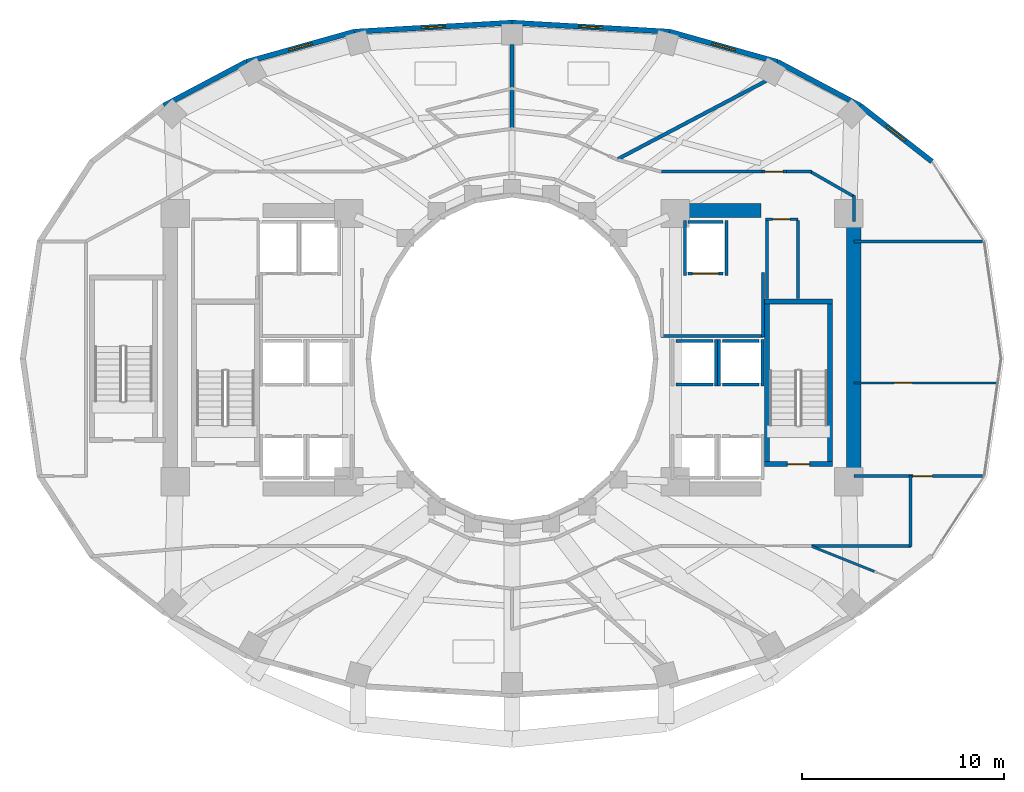
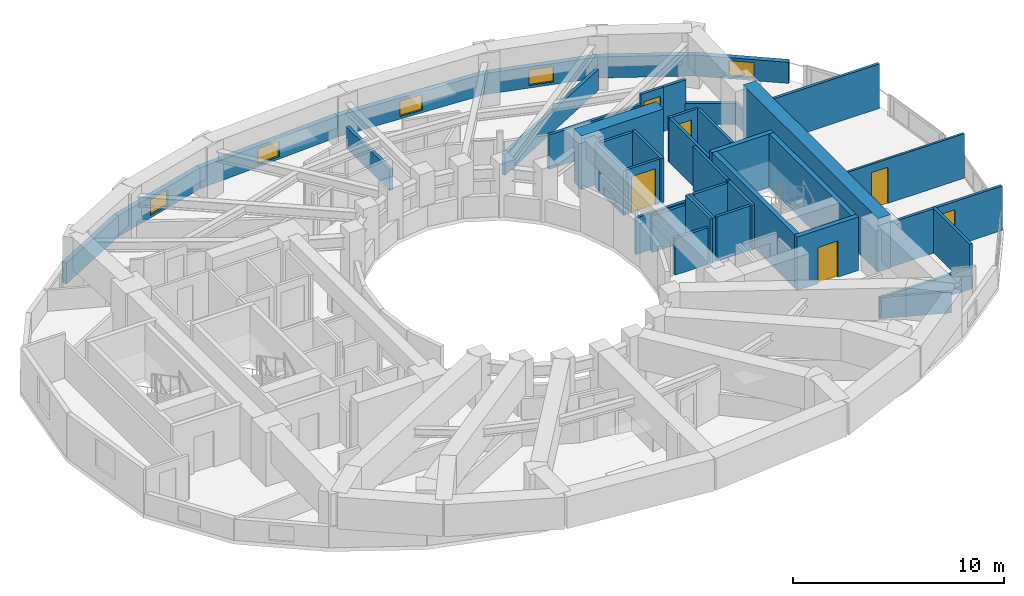
# One storey, part 10 of 14: 42 walls, 6 doors, 5 windows, 11 openings.
"""IFC4 building model written with IfcOpenShell, lengths in metres."""

from ifc_helpers import new_model, si_unit, direction, frame, frame_2d, origin, place, context, subcontext, project, spatial, rectangle, extrude, material, layer, layer_set, type_object, element, fill, save


model = new_model("IFC4")

# Units and contexts
model_context = context("Model", 3, precision=1e-05, world=origin(), true_north=direction((0.0, 1.0)))
body_context = subcontext(model_context, "Body", "Model", "MODEL_VIEW")
ifc_project = project(units=[si_unit("LENGTHUNIT", "METRE"), si_unit("AREAUNIT", "SQUARE_METRE"), si_unit("VOLUMEUNIT", "CUBIC_METRE"), si_unit("PLANEANGLEUNIT", "RADIAN"), si_unit("MASSUNIT", "GRAM", prefix="KILO")], contexts=[model_context])

# Site, building, storey
site_placement = place(None, origin())
site = spatial("IfcSite", under=ifc_project, at=site_placement, CompositionType="ELEMENT")
building_placement = place(site_placement, origin())
building = spatial("IfcBuilding", under=site, at=building_placement, Name="Solvane Sanctuary Tower", CompositionType="ELEMENT")
storey_placement = place(building_placement, frame((0.0, 0.0, 91.800048828125)))
storey = spatial("IfcBuildingStorey", under=building, at=storey_placement, Name="L27", CompositionType="ELEMENT", Elevation=91.800048828125)

# Walls
ifc_material_1 = material(Name="Concrete C60/75", Category="concrete")
ifc_layer_1 = layer(ifc_material_1, 0.699951171875, Name="Concrete C60/75")
ifc_layer_set_1 = layer_set([ifc_layer_1], Name="Concrete C60/75")
wall_type_1 = type_object("IfcWallType", Name="Wall W-CORE-700", PredefinedType="SHEAR", material=ifc_layer_set_1)
wall_1_placement = place(storey_placement, frame((48.949951171875, 17.050048828125, 0.0), z_axis=(0.0, 0.0, 1.0), x_axis=(0.0, 1.0, 0.0)))
element("IfcWall", 1, at=wall_1_placement, inside=storey, type_object=wall_type_1, Name="L27 Core Shear Wall EC-E", PredefinedType="SHEAR", context=body_context, shape_type="SweptSolid", body=[
    extrude(rectangle(XDim=12.800048828125, YDim=0.699951171875, at=frame_2d((6.39990234375, 0.0))), origin(), (0.0, 0.0, 1.0), 3.099853515625),
])
wall_2_placement = place(storey_placement, frame((39.85009765625, 30.35009765625, 0.0), z_axis=(0.0, 0.0, 1.0), x_axis=(1.0, 0.0, 0.0)))
element("IfcWall", 2, at=wall_2_placement, inside=storey, type_object=wall_type_1, Name="L27 Core Shear Wall EC-N", PredefinedType="SHEAR", context=body_context, shape_type="SweptSolid", body=[
    extrude(rectangle(XDim=4.5, YDim=0.699951171875, at=frame_2d((2.25, 0.0))), origin(), (0.0, 0.0, 1.0), 3.099853515625),
])
ifc_material_2 = material(Name="Acoustic Gypsum Partition Board")
ifc_layer_2 = layer(ifc_material_2, 0.14990234375, Name="Acoustic Gypsum Partition Board")
ifc_layer_set_2 = layer_set([ifc_layer_2], Name="Acoustic Gypsum Partition Board")
wall_type_2 = type_object("IfcWallType", Name="Wall W-CORR-150", PredefinedType="PARTITIONING", material=ifc_layer_set_2)
wall_3_placement = place(storey_placement, frame((39.39990234375, 24.1201171875, 0.0), z_axis=(0.0, 0.0, 1.0), x_axis=(1.0, 0.0, 0.0)))
element("IfcWall", 3, at=wall_3_placement, inside=storey, type_object=wall_type_2, Name="L27 East Firefighting Lobby South Wall", PredefinedType="PARTITIONING", context=body_context, shape_type="SweptSolid", body=[
    extrude(rectangle(XDim=5.080078125, YDim=0.14990234375, at=frame_2d((2.5400390625, 0.0))), origin(), (0.0, 0.0, 1.0), 2.119873046875),
])
wall_4_placement = place(storey_placement, frame((44.449951171875, 24.080078125, 0.0), z_axis=(0.0, 0.0, 1.0), x_axis=(0.0, 1.0, 0.0)))
element("IfcWall", 4, at=wall_4_placement, inside=storey, type_object=wall_type_2, Name="L27 East Firefighting Lobby East Wall", PredefinedType="PARTITIONING", context=body_context, shape_type="SweptSolid", body=[
    extrude(rectangle(XDim=3.199951171875, YDim=0.14990234375, at=frame_2d((1.60009765625, 0.0))), origin(), (0.0, 0.0, 1.0), 2.574951171875),
])

# Wall, opening, door
wall_5_placement = place(storey_placement, frame((48.949951171875, 17.1748046875, 0.0), z_axis=(0.0, 0.0, 1.0), x_axis=(1.0, 0.0, 0.0)))
wall_5 = element("IfcWall", 5, at=wall_5_placement, inside=storey, type_object=wall_type_2, Name="L27 East Shoulder South Wall", PredefinedType="PARTITIONING", context=body_context, shape_type="SweptSolid", body=[
    extrude(rectangle(XDim=6.49169921875, YDim=0.14990234375, at=frame_2d((3.245849609375, 0.0))), origin(), (0.0, 0.0, 1.0), 2.574951171875),
])
opening_1_placement = place(wall_5_placement, frame((2.947509765625, 0.0, 0.0)))
opening_1 = element("IfcOpeningElement", 6, at=opening_1_placement, cuts=wall_5, Name="Opening D-L27-08", PredefinedType="OPENING", context=body_context, shape_type="SweptSolid", body=[
    extrude(rectangle(XDim=0.949951171875, YDim=2.10009765625, at=frame_2d((0.47509765625, 1.050048828125))), frame((0.0, 0.0849609375, 0.0), z_axis=(0.0, -1.0, 0.0), x_axis=(1.0, 0.0, 0.0)), (0.0, 0.0, 1.0), 0.169921875),
])
ifc_material_3 = material(Name="Engineered Tropical Hardwood", Category="wood")
door_type_1 = type_object("IfcDoorType", Name="Door D-ROOM-950", OperationType="NOTDEFINED", PredefinedType="DOOR", material=ifc_material_3)
door_1_placement = place(opening_1_placement, origin())
door_1 = element("IfcDoor", 7, at=door_1_placement, inside=storey, type_object=door_type_1, Name="L27 East Shoulder South Door", OperationType="SINGLE_SWING_LEFT", OverallHeight=2.10009765625, OverallWidth=0.949951171875, PredefinedType="DOOR", context=body_context, shape_type="SweptSolid", body=[
    extrude(rectangle(XDim=0.949951171875, YDim=2.10009765625, at=frame_2d((0.47509765625, 1.050048828125))), frame((0.0, 0.02490234375, 0.0), z_axis=(0.0, -1.0, 0.0), x_axis=(1.0, 0.0, 0.0)), (0.0, 0.0, 1.0), 0.050048828125),
])
fill(opening_1, door_1)

# Walls
wall_6_placement = place(storey_placement, frame((48.949951171875, 28.8251953125, 0.0), z_axis=(0.0, 0.0, 1.0), x_axis=(1.0, 0.0, 0.0)))
element("IfcWall", 8, at=wall_6_placement, inside=storey, type_object=wall_type_2, Name="L27 East Shoulder North Wall", PredefinedType="PARTITIONING", context=body_context, shape_type="SweptSolid", body=[
    extrude(rectangle(XDim=6.49169921875, YDim=0.14990234375, at=frame_2d((3.245849609375, 0.0))), origin(), (0.0, 0.0, 1.0), 2.574951171875),
])
wall_7_placement = place(storey_placement, frame((48.949951171875, 29.800048828125, 0.0), z_axis=(0.0, 0.0, 1.0), x_axis=(0.0, 1.0, 0.0)))
element("IfcWall", 9, at=wall_7_placement, inside=storey, type_object=wall_type_2, Name="L27 NE Corner Closer 1", PredefinedType="PARTITIONING", context=body_context, shape_type="SweptSolid", body=[
    extrude(rectangle(XDim=1.2900390625, YDim=0.14990234375, at=frame_2d((0.64501953125, 0.0))), origin(), (0.0, 0.0, 1.0), 1.219970703125),
])
wall_8_placement = place(storey_placement, frame((39.330078125, 32.280029296875, 0.0), z_axis=(0.0, 0.0, 1.0), x_axis=(1.0, 0.0, 0.0)))
element("IfcWall", 10, at=wall_8_placement, inside=storey, type_object=wall_type_2, Name="L27 NE Corner Corridor Wall", PredefinedType="PARTITIONING", context=body_context, shape_type="SweptSolid", body=[
    extrude(rectangle(XDim=5.059814453125, YDim=0.14990234375, at=frame_2d((2.52978515625, 0.0))), origin(), (0.0, 0.0, 1.0), 1.991943359375),
])

# Wall, opening, door
wall_9_placement = place(storey_placement, frame((44.389892578125, 32.280029296875, 0.0), z_axis=(0.0, 0.0, 1.0), x_axis=(1.0, 0.0, 0.0)))
wall_9 = element("IfcWall", 11, at=wall_9_placement, inside=storey, type_object=wall_type_2, Name="L27 NE Corner Corridor Wall", PredefinedType="PARTITIONING", context=body_context, shape_type="SweptSolid", body=[
    extrude(rectangle(XDim=1.22021484375, YDim=0.14990234375, at=frame_2d((0.610107421875, 0.0))), origin(), (0.0, 0.0, 1.0), 2.574951171875),
])
opening_2_placement = place(wall_9_placement, frame((0.159912109375, 0.0, 0.0)))
opening_2 = element("IfcOpeningElement", 12, at=opening_2_placement, cuts=wall_9, Name="Opening D-L27-11", PredefinedType="OPENING", context=body_context, shape_type="SweptSolid", body=[
    extrude(rectangle(XDim=0.89990234375, YDim=2.10009765625, at=frame_2d((0.449951171875, 1.050048828125))), frame((0.0, 0.0849609375, 0.0), z_axis=(0.0, -1.0, 0.0), x_axis=(1.0, 0.0, 0.0)), (0.0, 0.0, 1.0), 0.169921875),
])
door_type_2 = type_object("IfcDoorType", Name="Door D-WET-900", OperationType="NOTDEFINED", PredefinedType="DOOR", material=ifc_material_3)
door_2_placement = place(opening_2_placement, origin())
door_2 = element("IfcDoor", 13, at=door_2_placement, inside=storey, type_object=door_type_2, Name="L27 NE Corner Salon Door", OperationType="SINGLE_SWING_RIGHT", OverallHeight=2.10009765625, OverallWidth=0.89990234375, PredefinedType="DOOR", context=body_context, shape_type="SweptSolid", body=[
    extrude(rectangle(XDim=0.89990234375, YDim=2.10009765625, at=frame_2d((0.449951171875, 1.050048828125))), frame((0.0, 0.02490234375, 0.0), z_axis=(0.0, -1.0, 0.0), x_axis=(1.0, 0.0, 0.0)), (0.0, 0.0, 1.0), 0.050048828125),
])
fill(opening_2, door_2)

# Walls
wall_10_placement = place(storey_placement, frame((45.610107421875, 32.280029296875, 0.0), z_axis=(0.0, 0.0, 1.0), x_axis=(1.0, 0.0, 0.0)))
element("IfcWall", 14, at=wall_10_placement, inside=storey, type_object=wall_type_2, Name="L27 NE Corner Corridor Wall", PredefinedType="PARTITIONING", context=body_context, shape_type="SweptSolid", body=[
    extrude(rectangle(XDim=1.239990234375, YDim=0.14990234375, at=frame_2d((0.6201171875, 0.0))), origin(), (0.0, 0.0, 1.0), 2.574951171875),
])
wall_11_placement = place(storey_placement, frame((46.756591796875, 32.3046875, 0.0), z_axis=(0.0, 0.0, 1.0), x_axis=(0.867991349648, -0.496579315857, 0.0)))
element("IfcWall", 15, at=wall_11_placement, inside=storey, type_object=wall_type_2, Name="L27 NE Corner Wing Wall", PredefinedType="PARTITIONING", context=body_context, shape_type="SweptSolid", body=[
    extrude(rectangle(XDim=2.56689453125, YDim=0.14990234375, at=frame_2d((1.283447265625, 0.0))), origin(), (0.0, 0.0, 1.0), 1.219970703125),
])
wall_12_placement = place(storey_placement, frame((51.760009765625, 13.679931640625, 0.0), z_axis=(0.0, 0.0, 1.0), x_axis=(0.0, 1.0, 0.0)))
element("IfcWall", 16, at=wall_12_placement, inside=storey, type_object=wall_type_2, Name="L27 SE Corner Closer 1", PredefinedType="PARTITIONING", context=body_context, shape_type="SweptSolid", body=[
    extrude(rectangle(XDim=3.534912109375, YDim=0.14990234375, at=frame_2d((1.767578125, 0.0))), origin(), (0.0, 0.0, 1.0), 2.574951171875),
])
wall_13_placement = place(storey_placement, frame((46.75, 13.719970703125, 0.0), z_axis=(0.0, 0.0, 1.0), x_axis=(1.0, 0.0, 0.0)))
element("IfcWall", 17, at=wall_13_placement, inside=storey, type_object=wall_type_2, Name="L27 SE Corner Wing Wall", PredefinedType="PARTITIONING", context=body_context, shape_type="SweptSolid", body=[
    extrude(rectangle(XDim=5.050048828125, YDim=0.14990234375, at=frame_2d((2.52490234375, 0.0))), origin(), (0.0, 0.0, 1.0), 1.219970703125),
])

# Wall, opening, window
ifc_material_4 = material(Name="Precast concrete C40/50", Category="concrete")
ifc_layer_3 = layer(ifc_material_4, 0.260009765625, Name="Precast concrete C40/50")
ifc_layer_set_3 = layer_set([ifc_layer_3], Name="Precast concrete C40/50")
wall_type_3 = type_object("IfcWallType", Name="Wall W-EXT-250", PredefinedType="STANDARD", material=ifc_layer_set_3)
wall_14_placement = place(storey_placement, frame((52.820556640625, 32.786376953125, 0.0), z_axis=(0.0, 0.0, 1.0), x_axis=(-0.789127449954, 0.614229491094, 0.0)))
wall_14 = element("IfcWall", 18, at=wall_14_placement, inside=storey, type_object=wall_type_3, Name="L27 Ceramic-Printed Facade Wall 02", PredefinedType="STANDARD", context=body_context, shape_type="SweptSolid", body=[
    extrude(rectangle(XDim=4.504638671875, YDim=0.260009765625, at=frame_2d((2.25244140625, 0.0))), origin(), (0.0, 0.0, 1.0), 1.219970703125),
])
opening_3_placement = place(wall_14_placement, frame((1.65234375, 0.0, 0.14990234375)))
opening_3 = element("IfcOpeningElement", 19, at=opening_3_placement, cuts=wall_14, Name="Opening WN-OPER-1200", PredefinedType="OPENING", context=body_context, shape_type="SweptSolid", body=[
    extrude(rectangle(XDim=1.199951171875, YDim=0.89990234375, at=frame_2d((0.60009765625, 0.449951171875))), frame((0.0, 0.139892578125, 0.0), z_axis=(0.0, -1.0, 0.0), x_axis=(1.0, 0.0, 0.0)), (0.0, 0.0, 1.0), 0.280029296875),
])
ifc_material_5 = material(Name="Dark Ceramic-Fritted Low-E Glass", Category="glass")
window_type = type_object("IfcWindowType", Name="Window WN-OPER-1200", PartitioningType="SINGLE_PANEL", PredefinedType="WINDOW", material=ifc_material_5)
window_1_placement = place(opening_3_placement, origin())
window_1 = element("IfcWindow", 20, at=window_1_placement, inside=storey, type_object=window_type, Name="L27 Operable Facade Window 02", OverallHeight=0.89990234375, OverallWidth=1.199951171875, PartitioningType="SINGLE_PANEL", PredefinedType="WINDOW", context=body_context, shape_type="SweptSolid", body=[
    extrude(rectangle(XDim=1.199951171875, YDim=0.89990234375, at=frame_2d((0.60009765625, 0.449951171875))), frame((0.0, 0.030029296875, 0.0), z_axis=(0.0, -1.0, 0.0), x_axis=(1.0, 0.0, 0.0)), (0.0, 0.0, 1.0), 0.06005859375),
])
fill(opening_3, window_1)

# Wall
wall_15_placement = place(storey_placement, frame((49.265869140625, 35.55322265625, 0.0), z_axis=(0.0, 0.0, 1.0), x_axis=(-0.883668636807, 0.4681129568, 0.0)))
element("IfcWall", 21, at=wall_15_placement, inside=storey, type_object=wall_type_3, Name="L27 Ceramic-Printed Facade Wall 03", PredefinedType="STANDARD", context=body_context, shape_type="SweptSolid", body=[
    extrude(rectangle(XDim=4.63134765625, YDim=0.260009765625, at=frame_2d((2.315673828125, 0.0))), origin(), (0.0, 0.0, 1.0), 1.219970703125),
])

# Wall, opening, window
wall_16_placement = place(storey_placement, frame((45.17333984375, 37.72119140625, 0.0), z_axis=(0.0, 0.0, 1.0), x_axis=(-0.962938491413, 0.269721081407, 0.0)))
wall_16 = element("IfcWall", 22, at=wall_16_placement, inside=storey, type_object=wall_type_3, Name="L27 Ceramic-Printed Facade Wall 04", PredefinedType="STANDARD", context=body_context, shape_type="SweptSolid", body=[
    extrude(rectangle(XDim=5.563232421875, YDim=0.260009765625, at=frame_2d((2.78173828125, 0.0))), origin(), (0.0, 0.0, 1.0), 1.219970703125),
])
opening_4_placement = place(wall_16_placement, frame((2.181640625, 0.0, 0.14990234375)))
opening_4 = element("IfcOpeningElement", 23, at=opening_4_placement, cuts=wall_16, Name="Opening WN-OPER-1200", PredefinedType="OPENING", context=body_context, shape_type="SweptSolid", body=[
    extrude(rectangle(XDim=1.199951171875, YDim=0.89990234375, at=frame_2d((0.60009765625, 0.449951171875))), frame((0.0, 0.139892578125, 0.0), z_axis=(0.0, -1.0, 0.0), x_axis=(1.0, 0.0, 0.0)), (0.0, 0.0, 1.0), 0.280029296875),
])
window_2_placement = place(opening_4_placement, origin())
window_2 = element("IfcWindow", 24, at=window_2_placement, inside=storey, type_object=window_type, Name="L27 Operable Facade Window 04", OverallHeight=0.89990234375, OverallWidth=1.199951171875, PartitioningType="SINGLE_PANEL", PredefinedType="WINDOW", context=body_context, shape_type="SweptSolid", body=[
    extrude(rectangle(XDim=1.199951171875, YDim=0.89990234375, at=frame_2d((0.60009765625, 0.449951171875))), frame((0.0, 0.030029296875, 0.0), z_axis=(0.0, -1.0, 0.0), x_axis=(1.0, 0.0, 0.0)), (0.0, 0.0, 1.0), 0.06005859375),
])
fill(opening_4, window_2)

wall_17_placement = place(storey_placement, frame((39.81640625, 39.2216796875, 0.0), z_axis=(0.0, 0.0, 1.0), x_axis=(-0.998352606703, 0.057376586592, 0.0)))
wall_17 = element("IfcWall", 25, at=wall_17_placement, inside=storey, type_object=wall_type_3, Name="L27 Ceramic-Printed Facade Wall 05", PredefinedType="STANDARD", context=body_context, shape_type="SweptSolid", body=[
    extrude(rectangle(XDim=7.829345703125, YDim=0.260009765625, at=frame_2d((3.91455078125, 0.0))), origin(), (0.0, 0.0, 1.0), 1.219970703125),
])
opening_5_placement = place(wall_17_placement, frame((3.314697265625, 0.0, 0.14990234375)))
opening_5 = element("IfcOpeningElement", 26, at=opening_5_placement, cuts=wall_17, Name="Opening WN-OPER-1200", PredefinedType="OPENING", context=body_context, shape_type="SweptSolid", body=[
    extrude(rectangle(XDim=1.199951171875, YDim=0.89990234375, at=frame_2d((0.60009765625, 0.449951171875))), frame((0.0, 0.139892578125, 0.0), z_axis=(0.0, -1.0, 0.0), x_axis=(1.0, 0.0, 0.0)), (0.0, 0.0, 1.0), 0.280029296875),
])
window_3_placement = place(opening_5_placement, origin())
window_3 = element("IfcWindow", 27, at=window_3_placement, inside=storey, type_object=window_type, Name="L27 Operable Facade Window 05", OverallHeight=0.89990234375, OverallWidth=1.199951171875, PartitioningType="SINGLE_PANEL", PredefinedType="WINDOW", context=body_context, shape_type="SweptSolid", body=[
    extrude(rectangle(XDim=1.199951171875, YDim=0.89990234375, at=frame_2d((0.60009765625, 0.449951171875))), frame((0.0, 0.030029296875, 0.0), z_axis=(0.0, -1.0, 0.0), x_axis=(1.0, 0.0, 0.0)), (0.0, 0.0, 1.0), 0.06005859375),
])
fill(opening_5, window_3)

wall_18_placement = place(storey_placement, frame((32.0, 39.6708984375, 0.0), z_axis=(0.0, 0.0, 1.0), x_axis=(-0.998352606703, -0.057376586592, 0.0)))
wall_18 = element("IfcWall", 28, at=wall_18_placement, inside=storey, type_object=wall_type_3, Name="L27 Ceramic-Printed Facade Wall 06", PredefinedType="STANDARD", context=body_context, shape_type="SweptSolid", body=[
    extrude(rectangle(XDim=7.829345703125, YDim=0.260009765625, at=frame_2d((3.91455078125, 0.0))), origin(), (0.0, 0.0, 1.0), 1.219970703125),
])
opening_6_placement = place(wall_18_placement, frame((3.314697265625, 0.0, 0.14990234375)))
opening_6 = element("IfcOpeningElement", 29, at=opening_6_placement, cuts=wall_18, Name="Opening WN-OPER-1200", PredefinedType="OPENING", context=body_context, shape_type="SweptSolid", body=[
    extrude(rectangle(XDim=1.199951171875, YDim=0.89990234375, at=frame_2d((0.60009765625, 0.449951171875))), frame((0.0, 0.139892578125, 0.0), z_axis=(0.0, -1.0, 0.0), x_axis=(1.0, 0.0, 0.0)), (0.0, 0.0, 1.0), 0.280029296875),
])
window_4_placement = place(opening_6_placement, origin())
window_4 = element("IfcWindow", 30, at=window_4_placement, inside=storey, type_object=window_type, Name="L27 Operable Facade Window 06", OverallHeight=0.89990234375, OverallWidth=1.199951171875, PartitioningType="SINGLE_PANEL", PredefinedType="WINDOW", context=body_context, shape_type="SweptSolid", body=[
    extrude(rectangle(XDim=1.199951171875, YDim=0.89990234375, at=frame_2d((0.60009765625, 0.449951171875))), frame((0.0, 0.030029296875, 0.0), z_axis=(0.0, -1.0, 0.0), x_axis=(1.0, 0.0, 0.0)), (0.0, 0.0, 1.0), 0.06005859375),
])
fill(opening_6, window_4)

wall_19_placement = place(storey_placement, frame((24.18359375, 39.2216796875, 0.0), z_axis=(0.0, 0.0, 1.0), x_axis=(-0.962938491413, -0.269721081407, 0.0)))
wall_19 = element("IfcWall", 31, at=wall_19_placement, inside=storey, type_object=wall_type_3, Name="L27 Ceramic-Printed Facade Wall 07", PredefinedType="STANDARD", context=body_context, shape_type="SweptSolid", body=[
    extrude(rectangle(XDim=5.563232421875, YDim=0.260009765625, at=frame_2d((2.78173828125, 0.0))), origin(), (0.0, 0.0, 1.0), 1.219970703125),
])
opening_7_placement = place(wall_19_placement, frame((2.181640625, 0.0, 0.14990234375)))
opening_7 = element("IfcOpeningElement", 32, at=opening_7_placement, cuts=wall_19, Name="Opening WN-OPER-1200", PredefinedType="OPENING", context=body_context, shape_type="SweptSolid", body=[
    extrude(rectangle(XDim=1.199951171875, YDim=0.89990234375, at=frame_2d((0.60009765625, 0.449951171875))), frame((0.0, 0.139892578125, 0.0), z_axis=(0.0, -1.0, 0.0), x_axis=(1.0, 0.0, 0.0)), (0.0, 0.0, 1.0), 0.280029296875),
])
window_5_placement = place(opening_7_placement, origin())
window_5 = element("IfcWindow", 33, at=window_5_placement, inside=storey, type_object=window_type, Name="L27 Operable Facade Window 07", OverallHeight=0.89990234375, OverallWidth=1.199951171875, PartitioningType="SINGLE_PANEL", PredefinedType="WINDOW", context=body_context, shape_type="SweptSolid", body=[
    extrude(rectangle(XDim=1.199951171875, YDim=0.89990234375, at=frame_2d((0.60009765625, 0.449951171875))), frame((0.0, 0.030029296875, 0.0), z_axis=(0.0, -1.0, 0.0), x_axis=(1.0, 0.0, 0.0)), (0.0, 0.0, 1.0), 0.06005859375),
])
fill(opening_7, window_5)

# Wall
wall_20_placement = place(storey_placement, frame((18.82666015625, 37.72119140625, 0.0), z_axis=(0.0, 0.0, 1.0), x_axis=(-0.883668636807, -0.4681129568, 0.0)))
element("IfcWall", 34, at=wall_20_placement, inside=storey, type_object=wall_type_3, Name="L27 Ceramic-Printed Facade Wall 08", PredefinedType="STANDARD", context=body_context, shape_type="SweptSolid", body=[
    extrude(rectangle(XDim=4.63134765625, YDim=0.260009765625, at=frame_2d((2.315673828125, 0.0))), origin(), (0.0, 0.0, 1.0), 1.219970703125),
])

# Wall, opening, door
ifc_layer_4 = layer(ifc_material_2, 0.1201171875, Name="Acoustic Gypsum Partition Board")
ifc_layer_set_4 = layer_set([ifc_layer_4], Name="Acoustic Gypsum Partition Board")
wall_type_4 = type_object("IfcWallType", Name="Wall W-MOV-100", PredefinedType="MOVABLE", material=ifc_layer_set_4)
wall_21_placement = place(storey_placement, frame((48.949951171875, 21.800048828125, 0.0), z_axis=(0.0, 0.0, 1.0), x_axis=(1.0, 0.0, 0.0)))
wall_21 = element("IfcWall", 35, at=wall_21_placement, inside=storey, type_object=wall_type_4, Name="L27 East Suite Partition", PredefinedType="MOVABLE", context=body_context, shape_type="SweptSolid", body=[
    extrude(rectangle(XDim=7.097412109375, YDim=0.1201171875, at=frame_2d((3.548828125, 0.0))), origin(), (0.0, 0.0, 1.0), 2.574951171875),
])
opening_8_placement = place(wall_21_placement, frame((2.0, 0.0, 0.0)))
opening_8 = element("IfcOpeningElement", 36, at=opening_8_placement, cuts=wall_21, Name="Opening D-L27-09", PredefinedType="OPENING", context=body_context, shape_type="SweptSolid", body=[
    extrude(rectangle(XDim=0.89990234375, YDim=2.10009765625, at=frame_2d((0.449951171875, 1.050048828125))), frame((0.0, 0.070068359375, 0.0), z_axis=(0.0, -1.0, 0.0), x_axis=(1.0, 0.0, 0.0)), (0.0, 0.0, 1.0), 0.14013671875),
])
door_3_placement = place(opening_8_placement, origin())
door_3 = element("IfcDoor", 37, at=door_3_placement, inside=storey, type_object=door_type_2, Name="L27 East Suite Internal Door", OperationType="SINGLE_SWING_RIGHT", OverallHeight=2.10009765625, OverallWidth=0.89990234375, PredefinedType="DOOR", context=body_context, shape_type="SweptSolid", body=[
    extrude(rectangle(XDim=0.89990234375, YDim=2.10009765625, at=frame_2d((0.449951171875, 1.050048828125))), frame((0.0, 0.02490234375, 0.0), z_axis=(0.0, -1.0, 0.0), x_axis=(1.0, 0.0, 0.0)), (0.0, 0.0, 1.0), 0.050048828125),
])
fill(opening_8, door_3)

# Walls
wall_22_placement = place(storey_placement, frame((46.753662109375, 13.738525390625, 0.0), z_axis=(0.0, 0.0, 1.0), x_axis=(0.928501027376, -0.371329829345, 0.0)))
element("IfcWall", 38, at=wall_22_placement, inside=storey, type_object=wall_type_4, Name="L27 SE Corner Suite Partition", PredefinedType="MOVABLE", context=body_context, shape_type="SweptSolid", body=[
    extrude(rectangle(XDim=3.458984375, YDim=0.1201171875, at=frame_2d((1.7294921875, 0.0))), origin(), (0.0, 0.0, 1.0), 1.219970703125),
])
ifc_material_6 = material(Name="Concrete C50/60", Category="concrete")
ifc_layer_5 = layer(ifc_material_6, 0.14990234375, Name="Concrete C50/60")
ifc_layer_set_5 = layer_set([ifc_layer_5], Name="Concrete C50/60")
wall_type_5 = type_object("IfcWallType", Name="Wall W-SHAFT-150", PredefinedType="SOLIDWALL", material=ifc_layer_set_5)
for number, where, z_axis, x_axis, name in (
    (39, (42.43994140625, 21.719970703125, 0.0), (0.0, 0.0, 1.0), (1.0, 0.0, 0.0), "L27 PM-2 Lift Shaft Wall F"),
    (40, (42.43994140625, 23.8798828125, 0.0), (0.0, 0.0, 1.0), (1.0, 0.0, 0.0), "L27 PM-2 Lift Shaft Wall B"),
):
    element("IfcWall", number, at=place(storey_placement, frame(where, z_axis=z_axis, x_axis=x_axis)), inside=storey, type_object=wall_type_5, Name=name, PredefinedType="SOLIDWALL", context=body_context, shape_type="SweptSolid", body=[
        extrude(rectangle(XDim=1.820068359375, YDim=0.14990234375, at=frame_2d((0.91015625, 0.0))), origin(), (0.0, 0.0, 1.0), 2.574951171875),
    ])
for number, where, z_axis, x_axis, name in (
    (41, (42.27001953125, 21.639892578125, 0.0), (0.0, 0.0, 1.0), (0.0, 1.0, 0.0), "L27 PM-2 Lift Shaft Wall S1"),
    (42, (44.429931640625, 21.639892578125, 0.0), (0.0, 0.0, 1.0), (0.0, 1.0, 0.0), "L27 PM-2 Lift Shaft Wall S2"),
):
    element("IfcWall", number, at=place(storey_placement, frame(where, z_axis=z_axis, x_axis=x_axis)), inside=storey, type_object=wall_type_5, Name=name, PredefinedType="SOLIDWALL", context=body_context, shape_type="SweptSolid", body=[
        extrude(rectangle(XDim=2.320068359375, YDim=0.14990234375, at=frame_2d((1.16015625, 0.0))), origin(), (0.0, 0.0, 1.0), 2.574951171875),
    ])
for number, where, z_axis, x_axis, name in (
    (43, (40.139892578125, 21.719970703125, 0.0), (0.0, 0.0, 1.0), (1.0, 0.0, 0.0), "L27 PH-2 Lift Shaft Wall F"),
    (44, (40.139892578125, 23.8798828125, 0.0), (0.0, 0.0, 1.0), (1.0, 0.0, 0.0), "L27 PH-2 Lift Shaft Wall B"),
):
    element("IfcWall", number, at=place(storey_placement, frame(where, z_axis=z_axis, x_axis=x_axis)), inside=storey, type_object=wall_type_5, Name=name, PredefinedType="SOLIDWALL", context=body_context, shape_type="SweptSolid", body=[
        extrude(rectangle(XDim=1.820068359375, YDim=0.14990234375, at=frame_2d((0.91015625, 0.0))), origin(), (0.0, 0.0, 1.0), 2.119873046875),
    ])
wall_23_placement = place(storey_placement, frame((42.1298828125, 21.639892578125, 0.0), z_axis=(0.0, 0.0, 1.0), x_axis=(0.0, 1.0, 0.0)))
element("IfcWall", 45, at=wall_23_placement, inside=storey, type_object=wall_type_5, Name="L27 PH-2 Lift Shaft Wall S2", PredefinedType="SOLIDWALL", context=body_context, shape_type="SweptSolid", body=[
    extrude(rectangle(XDim=2.320068359375, YDim=0.14990234375, at=frame_2d((1.16015625, 0.0))), origin(), (0.0, 0.0, 1.0), 2.574951171875),
])

# Wall, opening, door
wall_24_placement = place(storey_placement, frame((40.739990234375, 27.219970703125, 0.0), z_axis=(0.0, 0.0, 1.0), x_axis=(1.0, 0.0, 0.0)))
wall_24 = element("IfcWall", 46, at=wall_24_placement, inside=storey, type_object=wall_type_5, Name="L27 FFL-2 Lift Shaft Wall F", PredefinedType="SOLIDWALL", context=body_context, shape_type="SweptSolid", body=[
    extrude(rectangle(XDim=1.719970703125, YDim=0.14990234375, at=frame_2d((0.85986328125, 0.0))), origin(), (0.0, 0.0, 1.0), 2.574951171875),
])
opening_9_placement = place(wall_24_placement, frame((0.2099609375, 0.0, 0.0)))
opening_9 = element("IfcOpeningElement", 47, at=opening_9_placement, cuts=wall_24, Name="Opening LD-L27-07", PredefinedType="OPENING", context=body_context, shape_type="SweptSolid", body=[
    extrude(rectangle(XDim=1.300048828125, YDim=2.10009765625, at=frame_2d((0.64990234375, 1.050048828125))), frame((0.0, 0.0849609375, 0.0), z_axis=(0.0, -1.0, 0.0), x_axis=(1.0, 0.0, 0.0)), (0.0, 0.0, 1.0), 0.169921875),
])
ifc_material_7 = material(Name="Architectural Stainless Steel 316", Category="steel")
door_type_3 = type_object("IfcDoorType", Name="Door LD-FFL-1300", OperationType="NOTDEFINED", PredefinedType="DOOR", material=ifc_material_7)
door_4_placement = place(opening_9_placement, origin())
door_4 = element("IfcDoor", 48, at=door_4_placement, inside=storey, type_object=door_type_3, Name="L27 FFL-2 Lift Landing Door", OperationType="DOUBLE_DOOR_SLIDING", OverallHeight=2.10009765625, OverallWidth=1.300048828125, PredefinedType="DOOR", context=body_context, shape_type="SweptSolid", body=[
    extrude(rectangle(XDim=1.300048828125, YDim=2.10009765625, at=frame_2d((0.64990234375, 1.050048828125))), frame((0.0, 0.02490234375, 0.0), z_axis=(0.0, -1.0, 0.0), x_axis=(1.0, 0.0, 0.0)), (0.0, 0.0, 1.0), 0.050048828125),
])
fill(opening_9, door_4)

# Walls
wall_25_placement = place(storey_placement, frame((40.739990234375, 29.780029296875, 0.0), z_axis=(0.0, 0.0, 1.0), x_axis=(1.0, 0.0, 0.0)))
element("IfcWall", 49, at=wall_25_placement, inside=storey, type_object=wall_type_5, Name="L27 FFL-2 Lift Shaft Wall B", PredefinedType="SOLIDWALL", context=body_context, shape_type="SweptSolid", body=[
    extrude(rectangle(XDim=1.719970703125, YDim=0.14990234375, at=frame_2d((0.85986328125, 0.0))), origin(), (0.0, 0.0, 1.0), 2.574951171875),
])
for number, where, z_axis, x_axis, name in (
    (50, (40.570068359375, 27.139892578125, 0.0), (0.0, 0.0, 1.0), (0.0, 1.0, 0.0), "L27 FFL-2 Lift Shaft Wall S1"),
    (51, (42.6298828125, 27.139892578125, 0.0), (0.0, 0.0, 1.0), (0.0, 1.0, 0.0), "L27 FFL-2 Lift Shaft Wall S2"),
):
    element("IfcWall", number, at=place(storey_placement, frame(where, z_axis=z_axis, x_axis=x_axis)), inside=storey, type_object=wall_type_5, Name=name, PredefinedType="SOLIDWALL", context=body_context, shape_type="SweptSolid", body=[
        extrude(rectangle(XDim=2.72021484375, YDim=0.14990234375, at=frame_2d((1.360107421875, 0.0))), origin(), (0.0, 0.0, 1.0), 2.574951171875),
    ])

# Wall, opening, door
ifc_layer_6 = layer(ifc_material_6, 0.25, Name="Concrete C50/60")
ifc_layer_set_6 = layer_set([ifc_layer_6], Name="Concrete C50/60")
wall_type_6 = type_object("IfcWallType", Name="Wall W-SHAFT-250", PredefinedType="SOLIDWALL", material=ifc_layer_set_6)
wall_26_placement = place(storey_placement, frame((44.52490234375, 17.77001953125, 0.0), z_axis=(0.0, 0.0, 1.0), x_axis=(1.0, 0.0, 0.0)))
wall_26 = element("IfcWall", 52, at=wall_26_placement, inside=storey, type_object=wall_type_6, Name="L27 ST-2 Load-Bearing Shaft Wall S", PredefinedType="SOLIDWALL", context=body_context, shape_type="SweptSolid", body=[
    extrude(rectangle(XDim=3.3701171875, YDim=0.25, at=frame_2d((1.68505859375, 0.0))), origin(), (0.0, 0.0, 1.0), 3.099853515625),
])
opening_10_placement = place(wall_26_placement, frame((1.135009765625, 0.0, 0.0)))
opening_10 = element("IfcOpeningElement", 53, at=opening_10_placement, cuts=wall_26, Name="Opening D-L27-02", PredefinedType="OPENING", context=body_context, shape_type="SweptSolid", body=[
    extrude(rectangle(XDim=1.10009765625, YDim=2.10009765625, at=frame_2d((0.550048828125, 1.050048828125))), frame((0.0, 0.135009765625, 0.0), z_axis=(0.0, -1.0, 0.0), x_axis=(1.0, 0.0, 0.0)), (0.0, 0.0, 1.0), 0.27001953125),
])
door_type_4 = type_object("IfcDoorType", Name="Door D-STAIR", OperationType="NOTDEFINED", PredefinedType="DOOR", material=ifc_material_7)
door_5_placement = place(opening_10_placement, origin())
door_5 = element("IfcDoor", 54, at=door_5_placement, inside=storey, type_object=door_type_4, Name="L27 ST-2 Exit Stair Fire Door", OperationType="SINGLE_SWING_RIGHT", OverallHeight=2.10009765625, OverallWidth=1.10009765625, PredefinedType="DOOR", context=body_context, shape_type="SweptSolid", body=[
    extrude(rectangle(XDim=1.10009765625, YDim=2.10009765625, at=frame_2d((0.550048828125, 1.050048828125))), frame((0.0, 0.02490234375, 0.0), z_axis=(0.0, -1.0, 0.0), x_axis=(1.0, 0.0, 0.0)), (0.0, 0.0, 1.0), 0.050048828125),
])
fill(opening_10, door_5)

# Walls
wall_27_placement = place(storey_placement, frame((44.52490234375, 25.830078125, 0.0), z_axis=(0.0, 0.0, 1.0), x_axis=(1.0, 0.0, 0.0)))
element("IfcWall", 55, at=wall_27_placement, inside=storey, type_object=wall_type_6, Name="L27 ST-2 Load-Bearing Shaft Wall N", PredefinedType="SOLIDWALL", context=body_context, shape_type="SweptSolid", body=[
    extrude(rectangle(XDim=3.3701171875, YDim=0.25, at=frame_2d((1.68505859375, 0.0))), origin(), (0.0, 0.0, 1.0), 3.099853515625),
])
for number, where, z_axis, x_axis, name in (
    (56, (44.64990234375, 17.89501953125, 0.0), (0.0, 0.0, 1.0), (0.0, 1.0, 0.0), "L27 ST-2 Load-Bearing Shaft Wall W"),
    (57, (47.77001953125, 17.89501953125, 0.0), (0.0, 0.0, 1.0), (0.0, 1.0, 0.0), "L27 ST-2 Load-Bearing Shaft Wall E"),
):
    element("IfcWall", number, at=place(storey_placement, frame(where, z_axis=z_axis, x_axis=x_axis)), inside=storey, type_object=wall_type_6, Name=name, PredefinedType="SOLIDWALL", context=body_context, shape_type="SweptSolid", body=[
        extrude(rectangle(XDim=7.81005859375, YDim=0.25, at=frame_2d((3.905029296875, 0.0))), origin(), (0.0, 0.0, 1.0), 3.099853515625),
    ])
ifc_layer_7 = layer(ifc_material_2, 0.179931640625, Name="Acoustic Gypsum Partition Board")
ifc_layer_set_7 = layer_set([ifc_layer_7], Name="Acoustic Gypsum Partition Board")
wall_type_7 = type_object("IfcWallType", Name="Wall W-UNIT-180", PredefinedType="PARTITIONING", material=ifc_layer_set_7)
wall_28_placement = place(storey_placement, frame((37.253662109375, 32.906982421875, 0.0), z_axis=(0.0, 0.0, 1.0), x_axis=(0.884730147854, 0.466103599512, 0.0)))
element("IfcWall", 58, at=wall_28_placement, inside=storey, type_object=wall_type_7, Name="L27 Radial Compartment Wall 060", PredefinedType="PARTITIONING", context=body_context, shape_type="SweptSolid", body=[
    extrude(rectangle(XDim=8.309814453125, YDim=0.179931640625, at=frame_2d((4.15478515625, 0.0))), origin(), (0.0, 0.0, 1.0), 1.219970703125),
])
wall_29_placement = place(storey_placement, frame((32.0, 34.465087890625, 0.0), z_axis=(0.0, 0.0, 1.0), x_axis=(0.0, 1.0, 0.0)))
element("IfcWall", 59, at=wall_29_placement, inside=storey, type_object=wall_type_7, Name="L27 Radial Compartment Wall 090", PredefinedType="PARTITIONING", context=body_context, shape_type="SweptSolid", body=[
    extrude(rectangle(XDim=4.10986328125, YDim=0.179931640625, at=frame_2d((2.054931640625, 0.0))), origin(), (0.0, 0.0, 1.0), 1.219970703125),
])

# Wall, opening, door
ifc_layer_8 = layer(ifc_material_2, 0.139892578125, Name="Acoustic Gypsum Partition Board")
ifc_layer_set_8 = layer_set([ifc_layer_8], Name="Acoustic Gypsum Partition Board")
wall_type_8 = type_object("IfcWallType", Name="Wall W-WET-140", PredefinedType="PLUMBINGWALL", material=ifc_layer_set_8)
wall_30_placement = place(storey_placement, frame((44.580078125, 29.919921875, 0.0), z_axis=(0.0, 0.0, 1.0), x_axis=(1.0, 0.0, 0.0)))
wall_30 = element("IfcWall", 60, at=wall_30_placement, inside=storey, type_object=wall_type_8, Name="L27 Core Service Front Wall KE0S", PredefinedType="PLUMBINGWALL", context=body_context, shape_type="SweptSolid", body=[
    extrude(rectangle(XDim=1.599853515625, YDim=0.139892578125, at=frame_2d((0.7998046875, 0.0))), origin(), (0.0, 0.0, 1.0), 2.574951171875),
])
opening_11_placement = place(wall_30_placement, frame((0.35009765625, 0.0, 0.0)))
opening_11 = element("IfcOpeningElement", 61, at=opening_11_placement, cuts=wall_30, Name="Opening D-L27-07", PredefinedType="OPENING", context=body_context, shape_type="SweptSolid", body=[
    extrude(rectangle(XDim=0.85009765625, YDim=2.050048828125, at=frame_2d((0.425048828125, 1.02490234375))), frame((0.0, 0.079833984375, 0.0), z_axis=(0.0, -1.0, 0.0), x_axis=(1.0, 0.0, 0.0)), (0.0, 0.0, 1.0), 0.159912109375),
])
door_type_5 = type_object("IfcDoorType", Name="Door D-RISER", OperationType="NOTDEFINED", PredefinedType="DOOR", material=ifc_material_7)
door_6_placement = place(opening_11_placement, origin())
door_6 = element("IfcDoor", 62, at=door_6_placement, inside=storey, type_object=door_type_5, Name="L27 Core Service Room Door KE0S-1", OperationType="SINGLE_SWING_RIGHT", OverallHeight=2.050048828125, OverallWidth=0.85009765625, PredefinedType="DOOR", context=body_context, shape_type="SweptSolid", body=[
    extrude(rectangle(XDim=0.85009765625, YDim=2.050048828125, at=frame_2d((0.425048828125, 1.02490234375))), frame((0.0, 0.02490234375, 0.0), z_axis=(0.0, -1.0, 0.0), x_axis=(1.0, 0.0, 0.0)), (0.0, 0.0, 1.0), 0.050048828125),
])
fill(opening_11, door_6)

# Walls
for number, where, z_axis, x_axis, name in (
    (63, (44.639892578125, 25.97998046875, 0.0), (0.0, 0.0, 1.0), (0.0, 1.0, 0.0), "L27 Core Service Side Wall KE0S-1"),
    (64, (46.179931640625, 25.97998046875, 0.0), (0.0, 0.0, 1.0), (0.0, 1.0, 0.0), "L27 Core Service Side Wall KE0S-2"),
):
    element("IfcWall", number, at=place(storey_placement, frame(where, z_axis=z_axis, x_axis=x_axis)), inside=storey, type_object=wall_type_8, Name=name, PredefinedType="PLUMBINGWALL", context=body_context, shape_type="SweptSolid", body=[
        extrude(rectangle(XDim=3.880126953125, YDim=0.139892578125, at=frame_2d((1.93994140625, 0.0))), origin(), (0.0, 0.0, 1.0), 2.574951171875),
    ])

save(model, "model.ifc")
